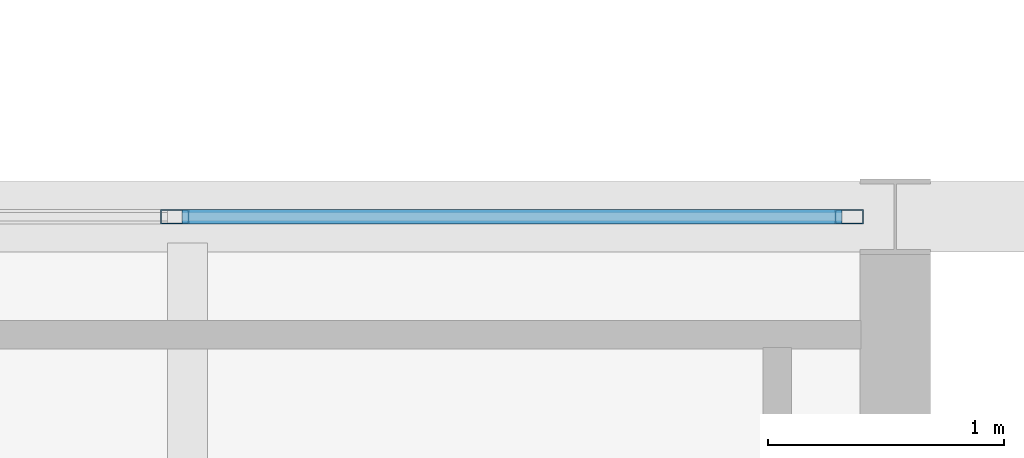
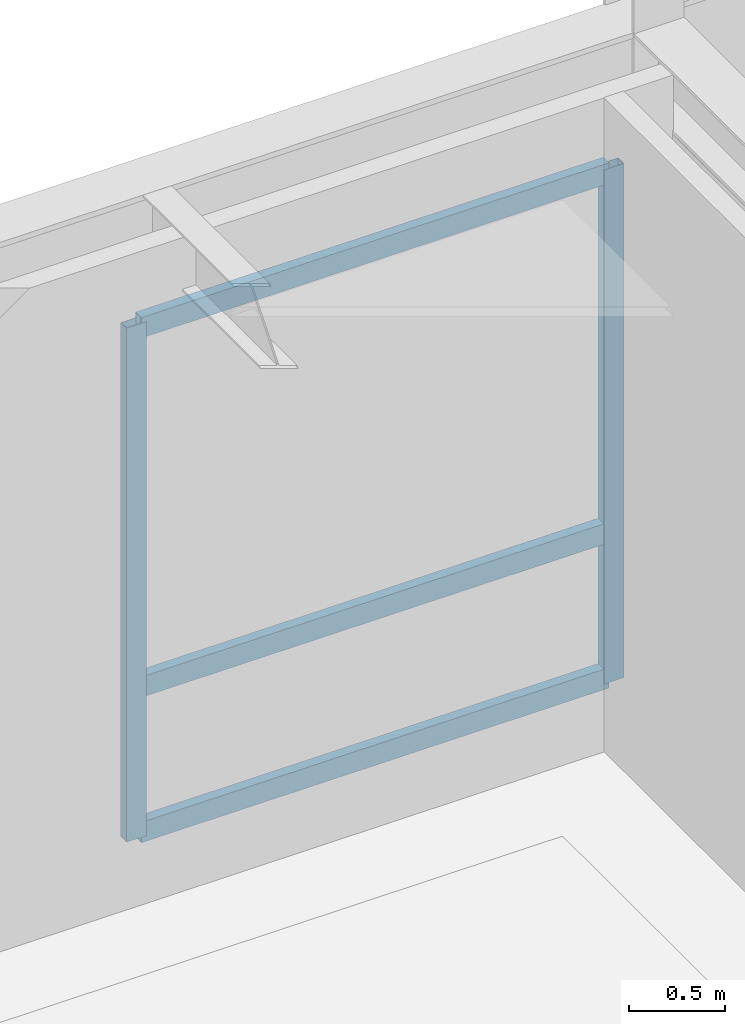
# One storey, part 30 of 127: 5 members, 1 element without a shape of its own.
"""IFC4 building model written with IfcOpenShell, lengths in metres."""

from ifc_helpers import new_model, si_unit, direction, frame, origin, origin_2d, place, context, subcontext, project, spatial, hollow_rectangle, extrude, material, layer, layer_set, material_profile, profile_set, type_object, element, aggregate, save


model = new_model("IFC4")

# Units and contexts
model_context = context("Model", 3, precision=1e-05, world=origin(), true_north=direction((0.0, 1.0)))
body_context = subcontext(model_context, "Body", "Model", "MODEL_VIEW")
ifc_project = project(units=[si_unit("LENGTHUNIT", "METRE"), si_unit("AREAUNIT", "SQUARE_METRE"), si_unit("VOLUMEUNIT", "CUBIC_METRE"), si_unit("PLANEANGLEUNIT", "RADIAN"), si_unit("MASSUNIT", "GRAM", prefix="KILO")], contexts=[model_context])

# Site, building, storey
site_placement = place(None, origin())
site = spatial("IfcSite", under=ifc_project, at=site_placement, CompositionType="ELEMENT")
building_placement = place(site_placement, origin())
building = spatial("IfcBuilding", under=site, at=building_placement, Name="Montelvaro Courts of Justice", CompositionType="ELEMENT")
storey_placement = place(building_placement, frame((0.0, 0.0, 5.39990234375)))
storey = spatial("IfcBuildingStorey", under=building, at=storey_placement, Name="L01", CompositionType="ELEMENT", Elevation=5.39990234375)

# Curtain wall, members
ifc_material = material(Name="Anodised aluminium EN AW-6063", Category="aluminium")
ifc_layer = layer(ifc_material, 0.159912109375)
ifc_layer_set = layer_set([ifc_layer], Name="Anodised aluminium EN AW-6063")
curtain_wall_type = type_object("IfcCurtainWallType", Name="CurtainWall_14_867x418", PredefinedType="USERDEFINED", material=ifc_layer_set)
curtain_wall_placement = place(storey_placement, origin())
curtain_wall = element("IfcCurtainWall", 1, at=curtain_wall_placement, inside=storey, type_object=curtain_wall_type, Name="Curtain Wall CW-14 (L01)", ObjectType="CURTAIN WALL", PredefinedType="USERDEFINED")
ifc_material_profile_1 = material_profile(ifc_material, hollow_rectangle(XDim=0.06005859375, YDim=0.1201171875, WallThickness=0.00341796875, at=origin_2d()), Name="ALU-M 60x120")
ifc_profile_set_1 = profile_set([ifc_material_profile_1], Name="Anodised aluminium EN AW-6063")
member_type_1 = type_object("IfcMemberType", Name="CurtainWall_Mullion_60x120", PredefinedType="MULLION", material=ifc_profile_set_1)
member_1_placement = place(storey_placement, frame((44.804931640625, 54.0, 0.0), z_axis=(0.0, 0.0, 1.0), x_axis=(0.0, -1.0, 0.0)))
member_1 = element("IfcMember", 2, at=member_1_placement, type_object=member_type_1, Name="CW-14 mullion 1", PredefinedType="MULLION", context=body_context, shape_type="SweptSolid", body=[
    extrude(hollow_rectangle(XDim=0.06005859375, YDim=0.1201171875, WallThickness=0.00341796875, at=origin_2d()), origin(), (0.0, 0.0, 1.0), 3.255126953125),
])
member_2_placement = place(storey_placement, frame((41.945068359375, 54.0, 0.0), z_axis=(0.0, 0.0, 1.0), x_axis=(0.0, -1.0, 0.0)))
member_2 = element("IfcMember", 3, at=member_2_placement, type_object=member_type_1, Name="CW-14 mullion 2", PredefinedType="MULLION", context=body_context, shape_type="SweptSolid", body=[
    extrude(hollow_rectangle(XDim=0.06005859375, YDim=0.1201171875, WallThickness=0.00341796875, at=origin_2d()), origin(), (0.0, 0.0, 1.0), 3.255126953125),
])
ifc_material_profile_2 = material_profile(ifc_material, hollow_rectangle(XDim=0.06005859375, YDim=0.1298828125, WallThickness=0.00390625, at=origin_2d()), Name="ALU-T 60x130")
ifc_profile_set_2 = profile_set([ifc_material_profile_2], Name="Anodised aluminium EN AW-6063")
member_type_2 = type_object("IfcMemberType", Name="CurtainWall_Transom_60x130", PredefinedType="USERDEFINED", material=ifc_profile_set_2)
member_3_placement = place(storey_placement, frame((44.77490234375, 54.0, 0.030029296875), z_axis=(-1.0, 0.0, 0.0), x_axis=(0.0, -1.0, 0.0)))
member_3 = element("IfcMember", 4, at=member_3_placement, type_object=member_type_2, Name="CW-14 transom 1.1", ObjectType="TRANSOM", PredefinedType="USERDEFINED", context=body_context, shape_type="SweptSolid", body=[
    extrude(hollow_rectangle(XDim=0.06005859375, YDim=0.1298828125, WallThickness=0.00390625, at=origin_2d()), origin(), (0.0, 0.0, 1.0), 2.7998046875),
])
member_4_placement = place(storey_placement, frame((44.77490234375, 54.0, 0.9501953125), z_axis=(-1.0, 0.0, 0.0), x_axis=(0.0, -1.0, 0.0)))
member_4 = element("IfcMember", 5, at=member_4_placement, type_object=member_type_2, Name="CW-14 transom 1.2", ObjectType="TRANSOM", PredefinedType="USERDEFINED", context=body_context, shape_type="SweptSolid", body=[
    extrude(hollow_rectangle(XDim=0.06005859375, YDim=0.1298828125, WallThickness=0.00390625, at=origin_2d()), origin(), (0.0, 0.0, 1.0), 2.7998046875),
])
member_5_placement = place(storey_placement, frame((44.77490234375, 54.0, 3.22509765625), z_axis=(-1.0, 0.0, 0.0), x_axis=(0.0, -1.0, 0.0)))
member_5 = element("IfcMember", 6, at=member_5_placement, type_object=member_type_2, Name="CW-14 transom 1.3", ObjectType="TRANSOM", PredefinedType="USERDEFINED", context=body_context, shape_type="SweptSolid", body=[
    extrude(hollow_rectangle(XDim=0.06005859375, YDim=0.1298828125, WallThickness=0.00390625, at=origin_2d()), origin(), (0.0, 0.0, 1.0), 2.7998046875),
])
aggregate(curtain_wall, [member_1, member_2, member_3, member_4, member_5])

save(model, "model.ifc")
